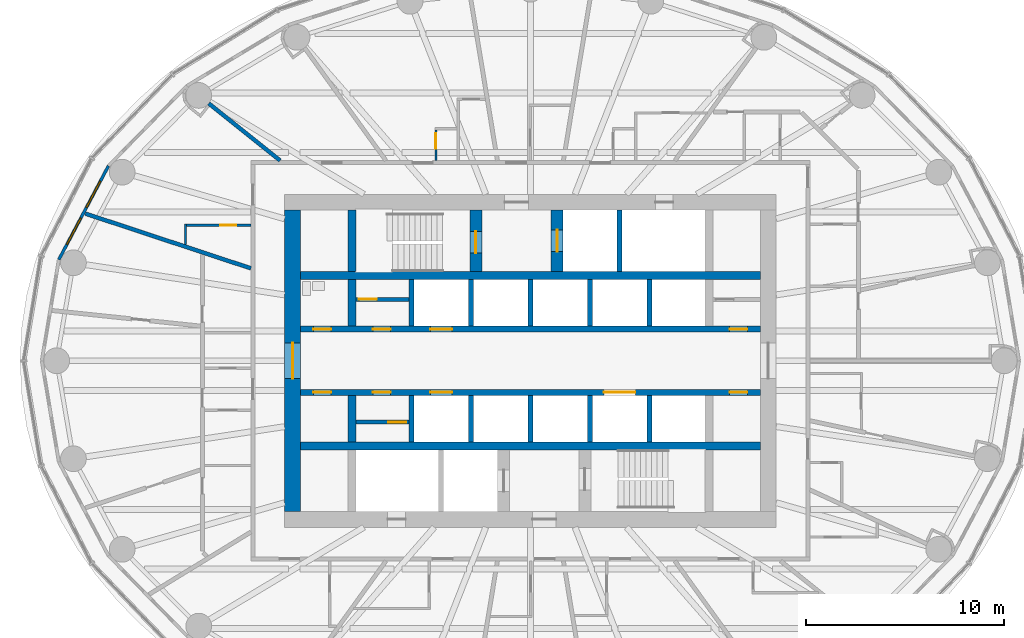
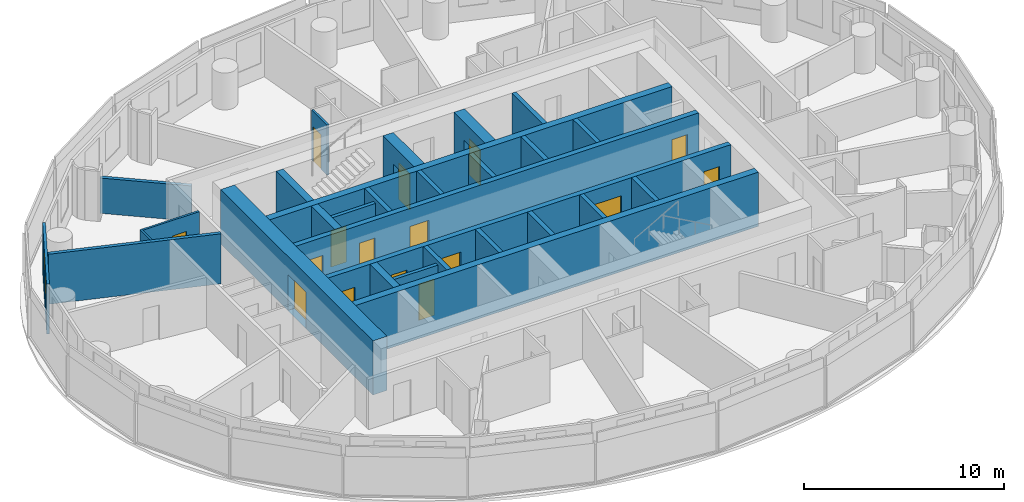
# One storey, part 8 of 14: 29 walls, 16 doors, 2 windows, 18 openings.
"""IFC4 building model written with IfcOpenShell, lengths in metres."""

import ifcopenshell
import ifcopenshell.guid

model = None  # the IFC model being written
_history = None  # IfcOwnerHistory: only IFC2X3 demands one
_inside = {}  # id of a spatial element -> (the spatial element, [elements in it])
_under = {}  # id of a project, library or spatial element -> (it, [spatial elements below it])
_declared = {}  # id of a project -> (the project, [libraries it declares])
_typed = {}  # id of a type object -> (the type object, [elements of that type])
_made_of = {}  # id of a material, layer set ... -> (it, [elements and type objects made of it])


def new_model(schema):
    """Start an empty IFC model of exactly this schema.

    Asked for "IFC4X3", IfcOpenShell would pick the latest addendum, in which some entities
    have other attributes; the version numbers below select the first issue.
    IFC2X3 requires an IfcOwnerHistory on every rooted entity: one is made here for all.
    """
    global model, _history
    if schema == "IFC4X3":
        model = ifcopenshell.file(schema_version=(4, 3, 0, 0))
    else:
        model = ifcopenshell.file(schema=schema)
    _inside.clear()
    _under.clear()
    _declared.clear()
    _typed.clear()
    _made_of.clear()
    _history = None
    if model.schema == "IFC2X3":
        org = make("IfcOrganization", Name="unknown")
        user = make(
            "IfcPersonAndOrganization",
            ThePerson=make("IfcPerson", FamilyName="unknown"),
            TheOrganization=org,
        )
        app = make(
            "IfcApplication",
            ApplicationDeveloper=org,
            Version="unknown",
            ApplicationFullName="unknown",
            ApplicationIdentifier="unknown",
        )
        _history = make(
            "IfcOwnerHistory",
            OwningUser=user,
            OwningApplication=app,
            ChangeAction="ADDED",
            CreationDate=0,
        )
    return model


def make(cls, **values):
    """One entity of the class cls with the attributes given. An attribute that is None is left unset."""
    return model.create_entity(
        cls, **{name: value for name, value in values.items() if value is not None}
    )


def rooted(cls, **values):
    """An entity with a GlobalId (a new one), such as an element, a storey or a relation."""
    return make(cls, GlobalId=ifcopenshell.guid.new(), OwnerHistory=_history, **values)


def si_unit(unit_type, name, prefix=None):
    """IfcSIUnit, for example si_unit("LENGTHUNIT", "METRE", prefix="MILLI")."""
    return make("IfcSIUnit", UnitType=unit_type, Prefix=prefix, Name=name)


def assignment(units):
    """IfcUnitAssignment: the units of a project."""
    return None if units is None else make("IfcUnitAssignment", Units=units)


def point(xyz):
    """IfcCartesianPoint."""
    return None if xyz is None else make("IfcCartesianPoint", Coordinates=xyz)


def direction(xyz):
    """IfcDirection."""
    return None if xyz is None else make("IfcDirection", DirectionRatios=xyz)


def frame(location, z_axis=None, x_axis=None):
    """IfcAxis2Placement3D, a coordinate frame: its origin and axes. An axis left out is left unset."""
    return make(
        "IfcAxis2Placement3D",
        Location=point(location),
        Axis=direction(z_axis),
        RefDirection=direction(x_axis),
    )


def frame_2d(location, x_axis=None):
    """IfcAxis2Placement2D, a coordinate frame in the plane: its origin and x axis."""
    return make(
        "IfcAxis2Placement2D", Location=point(location), RefDirection=direction(x_axis)
    )


def origin():
    """The frame at (0, 0, 0) with its axes left unset."""
    return frame((0.0, 0.0, 0.0))


def place(relative_to, where):
    """IfcLocalPlacement: puts the frame where relative to a parent placement (None: the world)."""
    return make(
        "IfcLocalPlacement", PlacementRelTo=relative_to, RelativePlacement=where
    )


def context(
    kind, dimensions, precision=None, world=None, true_north=None, identifier=None
):
    """IfcGeometricRepresentationContext, for example the 3D "Model" context."""
    return make(
        "IfcGeometricRepresentationContext",
        ContextIdentifier=identifier,
        ContextType=kind,
        CoordinateSpaceDimension=dimensions,
        Precision=precision,
        WorldCoordinateSystem=world,
        TrueNorth=true_north,
    )


def subcontext(parent, identifier, kind, view, scale=None):
    """IfcGeometricRepresentationSubContext, for example "Body" below "Model"."""
    return make(
        "IfcGeometricRepresentationSubContext",
        ContextIdentifier=identifier,
        ContextType=kind,
        ParentContext=parent,
        TargetScale=scale,
        TargetView=view,
    )


def project(units=None, contexts=None):
    """IfcProject with its units and contexts."""
    return rooted(
        "IfcProject",
        Name="project",
        RepresentationContexts=contexts,
        UnitsInContext=assignment(units),
    )


def spatial(cls, under=None, at=None, **own):
    """A site, building, storey or space (cls), placed at a placement, below another one or the project."""
    s = rooted(cls, ObjectPlacement=at, **own)
    if under is not None:
        _under.setdefault(under.id(), (under, []))[1].append(s)
    return s


def profile(cls, at=None, kind="AREA", **sizes):
    """A parametric profile (cls). Its sizes go by their IFC names, for example OverallWidth=200.0."""
    return make(cls, ProfileType=kind, Position=at, **sizes)


def rectangle(**sizes):
    """IfcRectangleProfileDef."""
    return profile("IfcRectangleProfileDef", **sizes)


def extrude(swept, where, along, depth):
    """IfcExtrudedAreaSolid: the profile swept, set in the frame where, extruded along a direction by depth."""
    return make(
        "IfcExtrudedAreaSolid",
        SweptArea=swept,
        Position=where,
        ExtrudedDirection=direction(along),
        Depth=depth,
    )


def shape(context_of_items, identifier, shape_type, items):
    """IfcShapeRepresentation: the items that make up one representation, for example the "Body"."""
    return make(
        "IfcShapeRepresentation",
        ContextOfItems=context_of_items,
        RepresentationIdentifier=identifier,
        RepresentationType=shape_type,
        Items=items,
    )


def material(Name=None, Category=None):
    """IfcMaterial."""
    return make("IfcMaterial", Name=Name, Category=Category)


def layer(
    of_material, thickness, ventilated=None, Name=None, Category=None, Priority=None
):
    """IfcMaterialLayer: one layer of a wall or slab, of a material (None: an air gap)."""
    return make(
        "IfcMaterialLayer",
        Material=of_material,
        LayerThickness=thickness,
        IsVentilated=ventilated,
        Name=Name,
        Category=Category,
        Priority=Priority,
    )


def layer_set(layers, Name=None):
    """IfcMaterialLayerSet."""
    return make("IfcMaterialLayerSet", MaterialLayers=layers, LayerSetName=Name)


def made_of(thing, what):
    """Note that an element or type object is made of a material, layer set ...; save() writes the relation."""
    if what is not None:
        _made_of.setdefault(what.id(), (what, []))[1].append(thing)
    return thing


def type_object(cls, material=None, **own):
    """A type object (cls), such as IfcWallType, which elements share."""
    return made_of(rooted(cls, **own), material)


def element(
    cls,
    number,
    at=None,
    inside=None,
    cuts=None,
    type_object=None,
    material=None,
    context=None,
    identifier="Body",
    shape_type=None,
    held_by="IfcProductDefinitionShape",
    body=None,
    shapes=None,
    **own,
):
    """One element of the class cls, such as IfcWall. Its Tag is "e" and its number.

    at: its placement. inside: the storey or other place that contains it. cuts: it is an
    opening in that element (IfcRelVoidsElement). A single representation is given by context,
    identifier, shape_type and body (its items); several are given by shapes. held_by: the class
    of the entity that holds the representations. save() writes the other relations.
    """
    e = rooted(cls, Tag="e%d" % number, ObjectPlacement=at, **own)
    if body is not None:
        shapes = [shape(context, identifier, shape_type, body)]
    if shapes is not None:
        e.Representation = make(held_by, Representations=shapes)
    if inside is not None:
        _inside.setdefault(inside.id(), (inside, []))[1].append(e)
    if cuts is not None:
        rooted(
            "IfcRelVoidsElement", RelatingBuildingElement=cuts, RelatedOpeningElement=e
        )
    if type_object is not None:
        _typed.setdefault(type_object.id(), (type_object, []))[1].append(e)
    return made_of(e, material)


def fill(opening, filler):
    """IfcRelFillsElement: the door or window that sits in an opening."""
    return rooted(
        "IfcRelFillsElement",
        RelatingOpeningElement=opening,
        RelatedBuildingElement=filler,
    )


def aggregate(whole, parts):
    """IfcRelAggregates: a whole, such as a stair, and the parts it consists of."""
    return rooted("IfcRelAggregates", RelatingObject=whole, RelatedObjects=parts)


def save(model, path):
    """Write the relations noted so far, then the file.

    IfcRelAggregates (storeys below a building ...), IfcRelContainedInSpatialStructure (elements
    in a storey), IfcRelDefinesByType, IfcRelAssociatesMaterial and IfcRelDeclares: one each for
    every whole, place, type object, material and project.
    """
    for whole, parts in _under.values():
        aggregate(whole, parts)
    for where, things in _inside.values():
        rooted(
            "IfcRelContainedInSpatialStructure",
            RelatedElements=things,
            RelatingStructure=where,
        )
    for kind, things in _typed.values():
        rooted("IfcRelDefinesByType", RelatedObjects=things, RelatingType=kind)
    for what, things in _made_of.values():
        rooted("IfcRelAssociatesMaterial", RelatedObjects=things, RelatingMaterial=what)
    for by, libraries in _declared.values():
        rooted("IfcRelDeclares", RelatingContext=by, RelatedDefinitions=libraries)
    model.write(path)


model = new_model("IFC4")

# Units and contexts
model_context = context("Model", 3, precision=1e-05, world=origin(), true_north=direction((0.0, 1.0)))
body_context = subcontext(model_context, "Body", "Model", "MODEL_VIEW")
ifc_project = project(units=[si_unit("LENGTHUNIT", "METRE"), si_unit("AREAUNIT", "SQUARE_METRE"), si_unit("VOLUMEUNIT", "CUBIC_METRE"), si_unit("PLANEANGLEUNIT", "RADIAN"), si_unit("MASSUNIT", "GRAM", prefix="KILO")], contexts=[model_context])

# Site, building, storey
site_placement = place(None, origin())
site = spatial("IfcSite", under=ifc_project, at=site_placement, CompositionType="ELEMENT")
building_placement = place(site_placement, origin())
building = spatial("IfcBuilding", under=site, at=building_placement, Name="Hankou Lantern Tower", CompositionType="ELEMENT")
storey_placement = place(building_placement, frame((0.0, 0.0, 135.300048828125)))
storey = spatial("IfcBuildingStorey", under=building, at=storey_placement, Name="L35", CompositionType="ELEMENT", Elevation=135.300048828125)

# Wall, opening, door
ifc_material_1 = material(Name="Concrete C60", Category="concrete")
ifc_layer_1 = layer(ifc_material_1, 0.800048828125)
ifc_layer_set_1 = layer_set([ifc_layer_1], Name="Concrete C60")
wall_type_1 = type_object("IfcWallType", Name="CW2 CORE WALL 800", PredefinedType="SHEAR", material=ifc_layer_set_1)
wall_1_placement = place(storey_placement, frame((-12.0, 7.60009765625, 0.0), z_axis=(0.0, 0.0, 1.0), x_axis=(0.0, -1.0, 0.0)))
wall_1 = element("IfcWall", 1, at=wall_1_placement, inside=storey, type_object=wall_type_1, Name="Core wall west L35", PredefinedType="SHEAR", context=body_context, shape_type="SweptSolid", body=[
    extrude(rectangle(XDim=15.2001953125, YDim=0.800048828125, at=frame_2d((7.60009765625, 0.0))), origin(), (0.0, 0.0, 1.0), 3.300048828125),
])
opening_1_placement = place(wall_1_placement, frame((6.699951171875, 0.0, 0.0)))
opening_1 = element("IfcOpeningElement", 2, at=opening_1_placement, cuts=wall_1, Name="Opening D6", PredefinedType="OPENING", context=body_context, shape_type="SweptSolid", body=[
    extrude(rectangle(XDim=1.800048828125, YDim=2.199951171875, at=frame_2d((0.89990234375, 1.10009765625))), frame((0.0, 0.409912109375, 0.0), z_axis=(0.0, -1.0, 0.0), x_axis=(1.0, 0.0, 0.0)), (0.0, 0.0, 1.0), 0.820068359375),
])
ifc_material_2 = material(Name="Steel door leaf", Category="steel")
door_type_1 = type_object("IfcDoorType", Name="D6 LIFT LOBBY DOOR 1800X2200", OperationType="DOUBLE_DOOR_DOUBLE_SWING", PredefinedType="DOOR", material=ifc_material_2)
door_1_placement = place(opening_1_placement, origin())
door_1 = element("IfcDoor", 3, at=door_1_placement, inside=storey, type_object=door_type_1, Name="Lift lobby west door", OperationType="DOUBLE_DOOR_DOUBLE_SWING", OverallHeight=2.199951171875, OverallWidth=1.800048828125, PredefinedType="DOOR", context=body_context, shape_type="SweptSolid", body=[
    extrude(rectangle(XDim=1.800048828125, YDim=2.199951171875, at=frame_2d((0.89990234375, 1.10009765625))), frame((0.0, 0.02490234375, 0.0), z_axis=(0.0, -1.0, 0.0), x_axis=(1.0, 0.0, 0.0)), (0.0, 0.0, 1.0), 0.050048828125),
])
fill(opening_1, door_1)

# Walls
ifc_material_3 = material(Name="Concrete C60", Category="concrete")
ifc_layer_2 = layer(ifc_material_3, 0.39990234375)
ifc_layer_set_2 = layer_set([ifc_layer_2], Name="Concrete C60")
wall_type_2 = type_object("IfcWallType", Name="CW4 CORE CROSS WALL 400", PredefinedType="SHEAR", material=ifc_layer_set_2)
for number, where, z_axis, x_axis, name in (
    (4, (-11.60009765625, 4.300048828125, 0.0), (0.0, 0.0, 1.0), (1.0, 0.0, 0.0), "Core band wall north L35"),
    (5, (-11.60009765625, -4.300048828125, 0.0), (0.0, 0.0, 1.0), (1.0, 0.0, 0.0), "Core band wall south L35"),
):
    element("IfcWall", number, at=place(storey_placement, frame(where, z_axis=z_axis, x_axis=x_axis)), inside=storey, type_object=wall_type_2, Name=name, PredefinedType="SHEAR", context=body_context, shape_type="SweptSolid", body=[
        extrude(rectangle(XDim=23.2001953125, YDim=0.39990234375, at=frame_2d((11.60009765625, 0.0))), origin(), (0.0, 0.0, 1.0), 3.300048828125),
    ])
wall_2_placement = place(storey_placement, frame((-9.0, 4.5, 0.0), z_axis=(0.0, 0.0, 1.0), x_axis=(0.0, 1.0, 0.0)))
element("IfcWall", 6, at=wall_2_placement, inside=storey, type_object=wall_type_2, Name="Core strip wall L35", PredefinedType="SHEAR", context=body_context, shape_type="SweptSolid", body=[
    extrude(rectangle(XDim=3.10009765625, YDim=0.39990234375, at=frame_2d((1.550048828125, 0.0))), origin(), (0.0, 0.0, 1.0), 3.300048828125),
])
for number, where, z_axis, x_axis, name in (
    (7, (-9.0, 1.75, 0.0), (0.0, 0.0, 1.0), (0.0, 1.0, 0.0), "Core strip wall L35"),
    (8, (-9.0, -4.10009765625, 0.0), (0.0, 0.0, 1.0), (0.0, 1.0, 0.0), "Core strip wall L35"),
):
    element("IfcWall", number, at=place(storey_placement, frame(where, z_axis=z_axis, x_axis=x_axis)), inside=storey, type_object=wall_type_2, Name=name, PredefinedType="SHEAR", context=body_context, shape_type="SweptSolid", body=[
        extrude(rectangle(XDim=2.35009765625, YDim=0.39990234375, at=frame_2d((1.175048828125, 0.0))), origin(), (0.0, 0.0, 1.0), 3.300048828125),
    ])

# Wall, openings, doors
ifc_material_4 = material(Name="Concrete C60", Category="concrete")
ifc_layer_3 = layer(ifc_material_4, 0.300048828125)
ifc_layer_set_3 = layer_set([ifc_layer_3], Name="Concrete C60")
wall_type_3 = type_object("IfcWallType", Name="CW5 LIFT LOBBY WALL 300", PredefinedType="SHEAR", material=ifc_layer_set_3)
wall_3_placement = place(storey_placement, frame((-11.60009765625, 1.60009765625, 0.0), z_axis=(0.0, 0.0, 1.0), x_axis=(1.0, 0.0, 0.0)))
wall_3 = element("IfcWall", 9, at=wall_3_placement, inside=storey, type_object=wall_type_3, Name="Lift lobby wall north L35", PredefinedType="SHEAR", context=body_context, shape_type="SweptSolid", body=[
    extrude(rectangle(XDim=23.2001953125, YDim=0.300048828125, at=frame_2d((11.60009765625, 0.0))), origin(), (0.0, 0.0, 1.0), 3.300048828125),
])
opening_2_placement = place(wall_3_placement, frame((6.550048828125, 0.0, 0.0)))
opening_2 = element("IfcOpeningElement", 10, at=opening_2_placement, cuts=wall_3, Name="Opening LD1", PredefinedType="OPENING", context=body_context, shape_type="SweptSolid", body=[
    extrude(rectangle(XDim=1.10009765625, YDim=2.199951171875, at=frame_2d((0.550048828125, 1.10009765625))), frame((0.0, 0.159912109375, 0.0), z_axis=(0.0, -1.0, 0.0), x_axis=(1.0, 0.0, 0.0)), (0.0, 0.0, 1.0), 0.320068359375),
])
opening_3_placement = place(wall_3_placement, frame((0.64990234375, 0.0, 0.0)))
opening_3 = element("IfcOpeningElement", 11, at=opening_3_placement, cuts=wall_3, Name="Opening D30", PredefinedType="OPENING", context=body_context, shape_type="SweptSolid", body=[
    extrude(rectangle(XDim=0.89990234375, YDim=2.199951171875, at=frame_2d((0.449951171875, 1.10009765625))), frame((0.0, 0.159912109375, 0.0), z_axis=(0.0, -1.0, 0.0), x_axis=(1.0, 0.0, 0.0)), (0.0, 0.0, 1.0), 0.320068359375),
])
opening_4_placement = place(wall_3_placement, frame((21.64990234375, 0.0, 0.0)))
opening_4 = element("IfcOpeningElement", 12, at=opening_4_placement, cuts=wall_3, Name="Opening D30", PredefinedType="OPENING", context=body_context, shape_type="SweptSolid", body=[
    extrude(rectangle(XDim=0.89990234375, YDim=2.199951171875, at=frame_2d((0.449951171875, 1.10009765625))), frame((0.0, 0.159912109375, 0.0), z_axis=(0.0, -1.0, 0.0), x_axis=(1.0, 0.0, 0.0)), (0.0, 0.0, 1.0), 0.320068359375),
])
opening_5_placement = place(wall_3_placement, frame((3.64990234375, 0.0, 0.0)))
opening_5 = element("IfcOpeningElement", 13, at=opening_5_placement, cuts=wall_3, Name="Opening D30", PredefinedType="OPENING", context=body_context, shape_type="SweptSolid", body=[
    extrude(rectangle(XDim=0.89990234375, YDim=2.199951171875, at=frame_2d((0.449951171875, 1.10009765625))), frame((0.0, 0.159912109375, 0.0), z_axis=(0.0, -1.0, 0.0), x_axis=(1.0, 0.0, 0.0)), (0.0, 0.0, 1.0), 0.320068359375),
])
ifc_material_5 = material(Name="Steel door leaf", Category="steel")
door_type_2 = type_object("IfcDoorType", Name="D30 CORE ROOM DOOR 900X2200", OperationType="SINGLE_SWING_LEFT", PredefinedType="DOOR", material=ifc_material_5)
door_2_placement = place(opening_3_placement, origin())
door_2 = element("IfcDoor", 14, at=door_2_placement, inside=storey, type_object=door_type_2, Name="Accessible staff WC door", OperationType="SINGLE_SWING_LEFT", OverallHeight=2.199951171875, OverallWidth=0.89990234375, PredefinedType="DOOR", context=body_context, shape_type="SweptSolid", body=[
    extrude(rectangle(XDim=0.89990234375, YDim=2.199951171875, at=frame_2d((0.449951171875, 1.10009765625))), frame((0.0, 0.02490234375, 0.0), z_axis=(0.0, -1.0, 0.0), x_axis=(1.0, 0.0, 0.0)), (0.0, 0.0, 1.0), 0.050048828125),
])
fill(opening_3, door_2)
door_3_placement = place(opening_4_placement, origin())
door_3 = element("IfcDoor", 15, at=door_3_placement, inside=storey, type_object=door_type_2, Name="Staff locker room door", OperationType="SINGLE_SWING_RIGHT", OverallHeight=2.199951171875, OverallWidth=0.89990234375, PredefinedType="DOOR", context=body_context, shape_type="SweptSolid", body=[
    extrude(rectangle(XDim=0.89990234375, YDim=2.199951171875, at=frame_2d((0.449951171875, 1.10009765625))), frame((0.0, 0.02490234375, 0.0), z_axis=(0.0, -1.0, 0.0), x_axis=(1.0, 0.0, 0.0)), (0.0, 0.0, 1.0), 0.050048828125),
])
fill(opening_4, door_3)
door_4_placement = place(opening_5_placement, origin())
door_4 = element("IfcDoor", 16, at=door_4_placement, inside=storey, type_object=door_type_2, Name="Guest pantry and ice room door", OperationType="SINGLE_SWING_LEFT", OverallHeight=2.199951171875, OverallWidth=0.89990234375, PredefinedType="DOOR", context=body_context, shape_type="SweptSolid", body=[
    extrude(rectangle(XDim=0.89990234375, YDim=2.199951171875, at=frame_2d((0.449951171875, 1.10009765625))), frame((0.0, 0.02490234375, 0.0), z_axis=(0.0, -1.0, 0.0), x_axis=(1.0, 0.0, 0.0)), (0.0, 0.0, 1.0), 0.050048828125),
])
fill(opening_5, door_4)
ifc_material_6 = material(Name="Steel door leaf", Category="steel")
door_type_3 = type_object("IfcDoorType", Name="LD1 LIFT LANDING DOOR 1100X2200", OperationType="DOUBLE_DOOR_SLIDING", PredefinedType="DOOR", material=ifc_material_6)
door_5_placement = place(opening_2_placement, origin())
door_5 = element("IfcDoor", 17, at=door_5_placement, inside=storey, type_object=door_type_3, Name="Lift M1 landing door", OperationType="DOUBLE_DOOR_SLIDING", OverallHeight=2.199951171875, OverallWidth=1.10009765625, PredefinedType="DOOR", context=body_context, shape_type="SweptSolid", body=[
    extrude(rectangle(XDim=1.10009765625, YDim=2.199951171875, at=frame_2d((0.550048828125, 1.10009765625))), frame((0.0, 0.02490234375, 0.0), z_axis=(0.0, -1.0, 0.0), x_axis=(1.0, 0.0, 0.0)), (0.0, 0.0, 1.0), 0.050048828125),
])
fill(opening_2, door_5)

wall_4_placement = place(storey_placement, frame((-11.60009765625, -1.60009765625, 0.0), z_axis=(0.0, 0.0, 1.0), x_axis=(1.0, 0.0, 0.0)))
wall_4 = element("IfcWall", 18, at=wall_4_placement, inside=storey, type_object=wall_type_3, Name="Lift lobby wall south L35", PredefinedType="SHEAR", context=body_context, shape_type="SweptSolid", body=[
    extrude(rectangle(XDim=23.2001953125, YDim=0.300048828125, at=frame_2d((11.60009765625, 0.0))), origin(), (0.0, 0.0, 1.0), 3.300048828125),
])
opening_6_placement = place(wall_4_placement, frame((6.550048828125, 0.0, 0.0)))
opening_6 = element("IfcOpeningElement", 19, at=opening_6_placement, cuts=wall_4, Name="Opening LD1", PredefinedType="OPENING", context=body_context, shape_type="SweptSolid", body=[
    extrude(rectangle(XDim=1.10009765625, YDim=2.199951171875, at=frame_2d((0.550048828125, 1.10009765625))), frame((0.0, 0.159912109375, 0.0), z_axis=(0.0, -1.0, 0.0), x_axis=(1.0, 0.0, 0.0)), (0.0, 0.0, 1.0), 0.320068359375),
])
opening_7_placement = place(wall_4_placement, frame((15.300048828125, 0.0, 0.0)))
opening_7 = element("IfcOpeningElement", 20, at=opening_7_placement, cuts=wall_4, Name="Opening LD4", PredefinedType="OPENING", context=body_context, shape_type="SweptSolid", body=[
    extrude(rectangle(XDim=1.60009765625, YDim=2.39990234375, at=frame_2d((0.800048828125, 1.199951171875))), frame((0.0, 0.159912109375, 0.0), z_axis=(0.0, -1.0, 0.0), x_axis=(1.0, 0.0, 0.0)), (0.0, 0.0, 1.0), 0.320068359375),
])
opening_8_placement = place(wall_4_placement, frame((0.64990234375, 0.0, 0.0)))
opening_8 = element("IfcOpeningElement", 21, at=opening_8_placement, cuts=wall_4, Name="Opening D30", PredefinedType="OPENING", context=body_context, shape_type="SweptSolid", body=[
    extrude(rectangle(XDim=0.89990234375, YDim=2.199951171875, at=frame_2d((0.449951171875, 1.10009765625))), frame((0.0, 0.159912109375, 0.0), z_axis=(0.0, -1.0, 0.0), x_axis=(1.0, 0.0, 0.0)), (0.0, 0.0, 1.0), 0.320068359375),
])
opening_9_placement = place(wall_4_placement, frame((3.64990234375, 0.0, 0.0)))
opening_9 = element("IfcOpeningElement", 22, at=opening_9_placement, cuts=wall_4, Name="Opening D30", PredefinedType="OPENING", context=body_context, shape_type="SweptSolid", body=[
    extrude(rectangle(XDim=0.89990234375, YDim=2.199951171875, at=frame_2d((0.449951171875, 1.10009765625))), frame((0.0, 0.159912109375, 0.0), z_axis=(0.0, -1.0, 0.0), x_axis=(1.0, 0.0, 0.0)), (0.0, 0.0, 1.0), 0.320068359375),
])
opening_10_placement = place(wall_4_placement, frame((21.64990234375, 0.0, 0.0)))
opening_10 = element("IfcOpeningElement", 23, at=opening_10_placement, cuts=wall_4, Name="Opening D30", PredefinedType="OPENING", context=body_context, shape_type="SweptSolid", body=[
    extrude(rectangle(XDim=0.89990234375, YDim=2.199951171875, at=frame_2d((0.449951171875, 1.10009765625))), frame((0.0, 0.159912109375, 0.0), z_axis=(0.0, -1.0, 0.0), x_axis=(1.0, 0.0, 0.0)), (0.0, 0.0, 1.0), 0.320068359375),
])
door_6_placement = place(opening_8_placement, origin())
door_6 = element("IfcDoor", 24, at=door_6_placement, inside=storey, type_object=door_type_2, Name="IT and telecoms room door", OperationType="SINGLE_SWING_LEFT", OverallHeight=2.199951171875, OverallWidth=0.89990234375, PredefinedType="DOOR", context=body_context, shape_type="SweptSolid", body=[
    extrude(rectangle(XDim=0.89990234375, YDim=2.199951171875, at=frame_2d((0.449951171875, 1.10009765625))), frame((0.0, 0.02490234375, 0.0), z_axis=(0.0, -1.0, 0.0), x_axis=(1.0, 0.0, 0.0)), (0.0, 0.0, 1.0), 0.050048828125),
])
fill(opening_8, door_6)
door_7_placement = place(opening_9_placement, origin())
door_7 = element("IfcDoor", 25, at=door_7_placement, inside=storey, type_object=door_type_2, Name="Engineering store door", OperationType="SINGLE_SWING_LEFT", OverallHeight=2.199951171875, OverallWidth=0.89990234375, PredefinedType="DOOR", context=body_context, shape_type="SweptSolid", body=[
    extrude(rectangle(XDim=0.89990234375, YDim=2.199951171875, at=frame_2d((0.449951171875, 1.10009765625))), frame((0.0, 0.02490234375, 0.0), z_axis=(0.0, -1.0, 0.0), x_axis=(1.0, 0.0, 0.0)), (0.0, 0.0, 1.0), 0.050048828125),
])
fill(opening_9, door_7)
door_8_placement = place(opening_10_placement, origin())
door_8 = element("IfcDoor", 26, at=door_8_placement, inside=storey, type_object=door_type_2, Name="Housekeeping and linen store door", OperationType="SINGLE_SWING_RIGHT", OverallHeight=2.199951171875, OverallWidth=0.89990234375, PredefinedType="DOOR", context=body_context, shape_type="SweptSolid", body=[
    extrude(rectangle(XDim=0.89990234375, YDim=2.199951171875, at=frame_2d((0.449951171875, 1.10009765625))), frame((0.0, 0.02490234375, 0.0), z_axis=(0.0, -1.0, 0.0), x_axis=(1.0, 0.0, 0.0)), (0.0, 0.0, 1.0), 0.050048828125),
])
fill(opening_10, door_8)
door_9_placement = place(opening_6_placement, origin())
door_9 = element("IfcDoor", 27, at=door_9_placement, inside=storey, type_object=door_type_3, Name="Lift M2 landing door", OperationType="DOUBLE_DOOR_SLIDING", OverallHeight=2.199951171875, OverallWidth=1.10009765625, PredefinedType="DOOR", context=body_context, shape_type="SweptSolid", body=[
    extrude(rectangle(XDim=1.10009765625, YDim=2.199951171875, at=frame_2d((0.550048828125, 1.10009765625))), frame((0.0, 0.02490234375, 0.0), z_axis=(0.0, -1.0, 0.0), x_axis=(1.0, 0.0, 0.0)), (0.0, 0.0, 1.0), 0.050048828125),
])
fill(opening_6, door_9)
ifc_material_7 = material(Name="Steel door leaf", Category="steel")
door_type_4 = type_object("IfcDoorType", Name="LD4 SERVICE LIFT LANDING DOOR 1600X2400", OperationType="DOUBLE_DOOR_SLIDING", PredefinedType="DOOR", material=ifc_material_7)
door_10_placement = place(opening_7_placement, origin())
door_10 = element("IfcDoor", 28, at=door_10_placement, inside=storey, type_object=door_type_4, Name="Lift SV1 landing door", OperationType="DOUBLE_DOOR_SLIDING", OverallHeight=2.39990234375, OverallWidth=1.60009765625, PredefinedType="DOOR", context=body_context, shape_type="SweptSolid", body=[
    extrude(rectangle(XDim=1.60009765625, YDim=2.39990234375, at=frame_2d((0.800048828125, 1.199951171875))), frame((0.0, 0.02490234375, 0.0), z_axis=(0.0, -1.0, 0.0), x_axis=(1.0, 0.0, 0.0)), (0.0, 0.0, 1.0), 0.050048828125),
])
fill(opening_7, door_10)

# Wall, opening, door
ifc_material_8 = material(Name="Concrete C60", Category="concrete")
ifc_layer_4 = layer(ifc_material_8, 0.60009765625)
ifc_layer_set_4 = layer_set([ifc_layer_4], Name="Concrete C60")
wall_type_4 = type_object("IfcWallType", Name="CW6 STAIR AND SHAFT WALL 600", PredefinedType="SHEAR", material=ifc_layer_set_4)
wall_5_placement = place(storey_placement, frame((-2.75, 4.5, 0.0), z_axis=(0.0, 0.0, 1.0), x_axis=(0.0, 1.0, 0.0)))
wall_5 = element("IfcWall", 29, at=wall_5_placement, inside=storey, type_object=wall_type_4, Name="Stair wall L35", PredefinedType="SHEAR", context=body_context, shape_type="SweptSolid", body=[
    extrude(rectangle(XDim=3.10009765625, YDim=0.60009765625, at=frame_2d((1.550048828125, 0.0))), origin(), (0.0, 0.0, 1.0), 3.300048828125),
])
opening_11_placement = place(wall_5_placement, frame((0.925048828125, 0.0, 0.0)))
opening_11 = element("IfcOpeningElement", 30, at=opening_11_placement, cuts=wall_5, Name="Opening D4", PredefinedType="OPENING", context=body_context, shape_type="SweptSolid", body=[
    extrude(rectangle(XDim=1.10009765625, YDim=2.199951171875, at=frame_2d((0.550048828125, 1.10009765625))), frame((0.0, 0.31005859375, 0.0), z_axis=(0.0, -1.0, 0.0), x_axis=(1.0, 0.0, 0.0)), (0.0, 0.0, 1.0), 0.6201171875),
])
ifc_material_9 = material(Name="Steel door leaf", Category="steel")
door_type_5 = type_object("IfcDoorType", Name="D4 STAIR DOOR 1100X2200", OperationType="SINGLE_SWING_LEFT", PredefinedType="DOOR", material=ifc_material_9)
door_11_placement = place(opening_11_placement, origin())
door_11 = element("IfcDoor", 31, at=door_11_placement, inside=storey, type_object=door_type_5, Name="Stair A door", OperationType="SINGLE_SWING_LEFT", OverallHeight=2.199951171875, OverallWidth=1.10009765625, PredefinedType="DOOR", context=body_context, shape_type="SweptSolid", body=[
    extrude(rectangle(XDim=1.10009765625, YDim=2.199951171875, at=frame_2d((0.550048828125, 1.10009765625))), frame((0.0, 0.02490234375, 0.0), z_axis=(0.0, -1.0, 0.0), x_axis=(1.0, 0.0, 0.0)), (0.0, 0.0, 1.0), 0.050048828125),
])
fill(opening_11, door_11)

wall_6_placement = place(storey_placement, frame((1.35009765625, 4.5, 0.0), z_axis=(0.0, 0.0, 1.0), x_axis=(0.0, 1.0, 0.0)))
wall_6 = element("IfcWall", 32, at=wall_6_placement, inside=storey, type_object=wall_type_4, Name="Firefighting lift shaft wall L35", PredefinedType="SHEAR", context=body_context, shape_type="SweptSolid", body=[
    extrude(rectangle(XDim=3.10009765625, YDim=0.60009765625, at=frame_2d((1.550048828125, 0.0))), origin(), (0.0, 0.0, 1.0), 3.300048828125),
])
opening_12_placement = place(wall_6_placement, frame((1.0, 0.0, 0.0)))
opening_12 = element("IfcOpeningElement", 33, at=opening_12_placement, cuts=wall_6, Name="Opening LD2", PredefinedType="OPENING", context=body_context, shape_type="SweptSolid", body=[
    extrude(rectangle(XDim=1.10009765625, YDim=2.199951171875, at=frame_2d((0.550048828125, 1.10009765625))), frame((0.0, 0.31005859375, 0.0), z_axis=(0.0, -1.0, 0.0), x_axis=(1.0, 0.0, 0.0)), (0.0, 0.0, 1.0), 0.6201171875),
])
ifc_material_10 = material(Name="Steel door leaf", Category="steel")
door_type_6 = type_object("IfcDoorType", Name="LD2 FIREFIGHTING LIFT LANDING DOOR 1100X2200", OperationType="DOUBLE_DOOR_SLIDING", PredefinedType="DOOR", material=ifc_material_10)
door_12_placement = place(opening_12_placement, origin())
door_12 = element("IfcDoor", 34, at=door_12_placement, inside=storey, type_object=door_type_6, Name="Firefighting lift FL1 landing door", OperationType="DOUBLE_DOOR_SLIDING", OverallHeight=2.199951171875, OverallWidth=1.10009765625, PredefinedType="DOOR", context=body_context, shape_type="SweptSolid", body=[
    extrude(rectangle(XDim=1.10009765625, YDim=2.199951171875, at=frame_2d((0.550048828125, 1.10009765625))), frame((0.0, 0.02490234375, 0.0), z_axis=(0.0, -1.0, 0.0), x_axis=(1.0, 0.0, 0.0)), (0.0, 0.0, 1.0), 0.050048828125),
])
fill(opening_12, door_12)

# Wall, openings, windows
ifc_material_11 = material(Name="Aluminium spandrel panel on steel studs", Category="steel")
ifc_layer_5 = layer(ifc_material_11, 0.14990234375)
ifc_layer_set_5 = layer_set([ifc_layer_5], Name="Aluminium spandrel panel on steel studs")
wall_type_5 = type_object("IfcWallType", Name="EW1 INNER SKIN WALL 150", PredefinedType="ELEMENTEDWALL", material=ifc_layer_set_5)
wall_7_placement = place(storey_placement, frame((-21.287353515625, 9.83203125, 0.0), z_axis=(0.0, 0.0, 1.0), x_axis=(-0.467814388454, -0.883826735257, 0.0)))
wall_7 = element("IfcWall", 35, at=wall_7_placement, inside=storey, type_object=wall_type_5, Name="Inner skin R11-R12 L35", PredefinedType="ELEMENTEDWALL", context=body_context, shape_type="SweptSolid", body=[
    extrude(rectangle(XDim=5.35400390625, YDim=0.14990234375, at=frame_2d((2.677001953125, 0.0))), origin(), (0.0, 0.0, 1.0), 3.050048828125),
])
opening_13_placement = place(wall_7_placement, frame((0.876953125, 0.0, 0.89990234375)))
opening_13 = element("IfcOpeningElement", 36, at=opening_13_placement, cuts=wall_7, Name="Opening W2", PredefinedType="OPENING", context=body_context, shape_type="SweptSolid", body=[
    extrude(rectangle(XDim=1.5, YDim=1.89990234375, at=frame_2d((0.75, 0.949951171875))), frame((0.0, 0.0849609375, 0.0), z_axis=(0.0, -1.0, 0.0), x_axis=(1.0, 0.0, 0.0)), (0.0, 0.0, 1.0), 0.169921875),
])
opening_14_placement = place(wall_7_placement, frame((2.97705078125, 0.0, 0.89990234375)))
opening_14 = element("IfcOpeningElement", 37, at=opening_14_placement, cuts=wall_7, Name="Opening W2", PredefinedType="OPENING", context=body_context, shape_type="SweptSolid", body=[
    extrude(rectangle(XDim=1.5, YDim=1.89990234375, at=frame_2d((0.75, 0.949951171875))), frame((0.0, 0.0849609375, 0.0), z_axis=(0.0, -1.0, 0.0), x_axis=(1.0, 0.0, 0.0)), (0.0, 0.0, 1.0), 0.169921875),
])
ifc_material_12 = material(Name="Aluminium framed double glazed window", Category="aluminium")
window_type = type_object("IfcWindowType", Name="W2 GUEST ROOM WINDOW 1500X1900", PartitioningType="DOUBLE_PANEL_VERTICAL", PredefinedType="WINDOW", material=ifc_material_12)
window_1_placement = place(opening_13_placement, origin())
window_1 = element("IfcWindow", 38, at=window_1_placement, inside=storey, type_object=window_type, Name="Window R11.1 L35", OverallHeight=1.89990234375, OverallWidth=1.5, PartitioningType="SINGLE_PANEL", PredefinedType="WINDOW", context=body_context, shape_type="SweptSolid", body=[
    extrude(rectangle(XDim=1.5, YDim=1.89990234375, at=frame_2d((0.75, 0.949951171875))), frame((0.0, 0.030029296875, 0.0), z_axis=(0.0, -1.0, 0.0), x_axis=(1.0, 0.0, 0.0)), (0.0, 0.0, 1.0), 0.06005859375),
])
fill(opening_13, window_1)
window_2_placement = place(opening_14_placement, origin())
window_2 = element("IfcWindow", 39, at=window_2_placement, inside=storey, type_object=window_type, Name="Window R11.2 L35", OverallHeight=1.89990234375, OverallWidth=1.5, PartitioningType="SINGLE_PANEL", PredefinedType="WINDOW", context=body_context, shape_type="SweptSolid", body=[
    extrude(rectangle(XDim=1.5, YDim=1.89990234375, at=frame_2d((0.75, 0.949951171875))), frame((0.0, 0.030029296875, 0.0), z_axis=(0.0, -1.0, 0.0), x_axis=(1.0, 0.0, 0.0)), (0.0, 0.0, 1.0), 0.06005859375),
])
fill(opening_14, window_2)

# Wall
ifc_material_13 = material(Name="Masonry lightweight concrete block", Category="masonry")
ifc_layer_6 = layer(ifc_material_13, 0.199951171875)
ifc_layer_set_6 = layer_set([ifc_layer_6], Name="Masonry lightweight concrete block")
wall_type_6 = type_object("IfcWallType", Name="IW1 GUEST ROOM PARTY WALL 200", PredefinedType="PARTITIONING", material=ifc_layer_set_6)
wall_8_placement = place(storey_placement, frame((-14.10009765625, 4.662353515625, 0.0), z_axis=(0.0, 0.0, 1.0), x_axis=(-0.949446466373, 0.313928984789, 0.0)))
element("IfcWall", 40, at=wall_8_placement, inside=storey, type_object=wall_type_6, Name="Party wall R11-R12", PredefinedType="PARTITIONING", context=body_context, shape_type="SweptSolid", body=[
    extrude(rectangle(XDim=8.79736328125, YDim=0.199951171875, at=frame_2d((4.398681640625, 0.0))), origin(), (0.0, 0.0, 1.0), 3.050048828125),
])

# Wall, opening, door
ifc_material_14 = material(Name="Masonry lightweight concrete block", Category="masonry")
ifc_layer_7 = layer(ifc_material_14, 0.1201171875)
ifc_layer_set_7 = layer_set([ifc_layer_7], Name="Masonry lightweight concrete block")
wall_type_7 = type_object("IfcWallType", Name="IW3 BATHROOM WALL 120", PredefinedType="PARTITIONING", material=ifc_layer_set_7)
wall_9_placement = place(storey_placement, frame((-4.76513671875, 10.10009765625, 0.0), z_axis=(0.0, 0.0, 1.0), x_axis=(0.0, 1.0, 0.0)))
wall_9 = element("IfcWall", 41, at=wall_9_placement, inside=storey, type_object=wall_type_7, Name="Box wall 3502 2", PredefinedType="PARTITIONING", context=body_context, shape_type="SweptSolid", body=[
    extrude(rectangle(XDim=1.539794921875, YDim=0.1201171875, at=frame_2d((0.77001953125, 0.0))), origin(), (0.0, 0.0, 1.0), 3.050048828125),
])
opening_15_placement = place(wall_9_placement, frame((0.590087890625, 0.0, 0.0)))
opening_15 = element("IfcOpeningElement", 42, at=opening_15_placement, cuts=wall_9, Name="Opening D3", PredefinedType="OPENING", context=body_context, shape_type="SweptSolid", body=[
    extrude(rectangle(XDim=0.800048828125, YDim=2.10009765625, at=frame_2d((0.39990234375, 1.050048828125))), frame((0.0, 0.070068359375, 0.0), z_axis=(0.0, -1.0, 0.0), x_axis=(1.0, 0.0, 0.0)), (0.0, 0.0, 1.0), 0.14013671875),
])
ifc_material_15 = material(Name="Timber door leaf", Category="wood")
door_type_7 = type_object("IfcDoorType", Name="D3 BATHROOM DOOR 800X2100", OperationType="SINGLE_SWING_LEFT", PredefinedType="DOOR", material=ifc_material_15)
door_13_placement = place(opening_15_placement, origin())
door_13 = element("IfcDoor", 43, at=door_13_placement, inside=storey, type_object=door_type_7, Name="En-suite WC 3502 door", OperationType="SINGLE_SWING_LEFT", OverallHeight=2.10009765625, OverallWidth=0.800048828125, PredefinedType="DOOR", context=body_context, shape_type="SweptSolid", body=[
    extrude(rectangle(XDim=0.800048828125, YDim=2.10009765625, at=frame_2d((0.39990234375, 1.050048828125))), frame((0.0, 0.02490234375, 0.0), z_axis=(0.0, -1.0, 0.0), x_axis=(1.0, 0.0, 0.0)), (0.0, 0.0, 1.0), 0.050048828125),
])
fill(opening_15, door_13)

# Wall
wall_10_placement = place(storey_placement, frame((-17.39990234375, 5.853515625, 0.0), z_axis=(0.0, 0.0, 1.0), x_axis=(0.0, 1.0, 0.0)))
element("IfcWall", 44, at=wall_10_placement, inside=storey, type_object=wall_type_7, Name="Box wall 3504 1", PredefinedType="PARTITIONING", context=body_context, shape_type="SweptSolid", body=[
    extrude(rectangle(XDim=1.048828125, YDim=0.1201171875, at=frame_2d((0.5244140625, 0.0))), origin(), (0.0, 0.0, 1.0), 3.050048828125),
])

# Wall, opening, door
wall_11_placement = place(storey_placement, frame((-14.10009765625, 6.84228515625, 0.0), z_axis=(0.0, 0.0, 1.0), x_axis=(-1.0, 0.0, 0.0)))
wall_11 = element("IfcWall", 45, at=wall_11_placement, inside=storey, type_object=wall_type_7, Name="Box wall 3504 1", PredefinedType="PARTITIONING", context=body_context, shape_type="SweptSolid", body=[
    extrude(rectangle(XDim=3.239990234375, YDim=0.1201171875, at=frame_2d((1.6201171875, 0.0))), origin(), (0.0, 0.0, 1.0), 3.050048828125),
])
opening_16_placement = place(wall_11_placement, frame((0.75, 0.0, 0.0)))
opening_16 = element("IfcOpeningElement", 46, at=opening_16_placement, cuts=wall_11, Name="Opening D3", PredefinedType="OPENING", context=body_context, shape_type="SweptSolid", body=[
    extrude(rectangle(XDim=0.800048828125, YDim=2.10009765625, at=frame_2d((0.39990234375, 1.050048828125))), frame((0.0, 0.070068359375, 0.0), z_axis=(0.0, -1.0, 0.0), x_axis=(1.0, 0.0, 0.0)), (0.0, 0.0, 1.0), 0.14013671875),
])
door_14_placement = place(opening_16_placement, origin())
door_14 = element("IfcDoor", 47, at=door_14_placement, inside=storey, type_object=door_type_7, Name="En-suite bathroom 3504 door", OperationType="SINGLE_SWING_LEFT", OverallHeight=2.10009765625, OverallWidth=0.800048828125, PredefinedType="DOOR", context=body_context, shape_type="SweptSolid", body=[
    extrude(rectangle(XDim=0.800048828125, YDim=2.10009765625, at=frame_2d((0.39990234375, 1.050048828125))), frame((0.0, 0.02490234375, 0.0), z_axis=(0.0, -1.0, 0.0), x_axis=(1.0, 0.0, 0.0)), (0.0, 0.0, 1.0), 0.050048828125),
])
fill(opening_16, door_14)

# Wall
ifc_material_16 = material(Name="Masonry lightweight concrete block", Category="masonry")
ifc_layer_8 = layer(ifc_material_16, 0.199951171875)
ifc_layer_set_8 = layer_set([ifc_layer_8], Name="Masonry lightweight concrete block")
wall_type_8 = type_object("IfcWallType", Name="IW8 PARTITION 200", PredefinedType="PARTITIONING", material=ifc_layer_set_8)
wall_12_placement = place(storey_placement, frame((-12.625, 10.10009765625, 0.0), z_axis=(0.0, 0.0, 1.0), x_axis=(-0.780863644897, 0.624701503182, 0.0)))
element("IfcWall", 48, at=wall_12_placement, inside=storey, type_object=wall_type_8, Name="Partition R10", PredefinedType="PARTITIONING", context=body_context, shape_type="SweptSolid", body=[
    extrude(rectangle(XDim=4.612060546875, YDim=0.199951171875, at=frame_2d((2.30615234375, 0.0))), origin(), (0.0, 0.0, 1.0), 2.14990234375),
])

# Wall, opening, door
wall_13_placement = place(storey_placement, frame((-8.800048828125, -3.10009765625, 0.0), z_axis=(0.0, 0.0, 1.0), x_axis=(1.0, 0.0, 0.0)))
wall_13 = element("IfcWall", 49, at=wall_13_placement, inside=storey, type_object=wall_type_8, Name="Partition engineering store", PredefinedType="PARTITIONING", context=body_context, shape_type="SweptSolid", body=[
    extrude(rectangle(XDim=2.675048828125, YDim=0.199951171875, at=frame_2d((1.33740234375, 0.0))), origin(), (0.0, 0.0, 1.0), 3.050048828125),
])
opening_17_placement = place(wall_13_placement, frame((1.625, 0.0, 0.0)))
opening_17 = element("IfcOpeningElement", 50, at=opening_17_placement, cuts=wall_13, Name="Opening D12", PredefinedType="OPENING", context=body_context, shape_type="SweptSolid", body=[
    extrude(rectangle(XDim=0.89990234375, YDim=2.199951171875, at=frame_2d((0.449951171875, 1.10009765625))), frame((0.0, 0.10986328125, 0.0), z_axis=(0.0, -1.0, 0.0), x_axis=(1.0, 0.0, 0.0)), (0.0, 0.0, 1.0), 0.219970703125),
])
ifc_material_17 = material(Name="Steel door leaf", Category="steel")
door_type_8 = type_object("IfcDoorType", Name="D12 STORE DOOR 900X2200", OperationType="SINGLE_SWING_LEFT", PredefinedType="DOOR", material=ifc_material_17)
door_15_placement = place(opening_17_placement, origin())
door_15 = element("IfcDoor", 51, at=door_15_placement, inside=storey, type_object=door_type_8, Name="Electrical cupboard door", OperationType="SINGLE_SWING_RIGHT", OverallHeight=2.199951171875, OverallWidth=0.89990234375, PredefinedType="DOOR", context=body_context, shape_type="SweptSolid", body=[
    extrude(rectangle(XDim=0.89990234375, YDim=2.199951171875, at=frame_2d((0.449951171875, 1.10009765625))), frame((0.0, 0.02490234375, 0.0), z_axis=(0.0, -1.0, 0.0), x_axis=(1.0, 0.0, 0.0)), (0.0, 0.0, 1.0), 0.050048828125),
])
fill(opening_17, door_15)

wall_14_placement = place(storey_placement, frame((-8.800048828125, 3.10009765625, 0.0), z_axis=(0.0, 0.0, 1.0), x_axis=(1.0, 0.0, 0.0)))
wall_14 = element("IfcWall", 52, at=wall_14_placement, inside=storey, type_object=wall_type_8, Name="Partition guest pantry and ice room", PredefinedType="PARTITIONING", context=body_context, shape_type="SweptSolid", body=[
    extrude(rectangle(XDim=2.675048828125, YDim=0.199951171875, at=frame_2d((1.33740234375, 0.0))), origin(), (0.0, 0.0, 1.0), 3.050048828125),
])
opening_18_placement = place(wall_14_placement, frame((0.14990234375, 0.0, 0.0)))
opening_18 = element("IfcOpeningElement", 53, at=opening_18_placement, cuts=wall_14, Name="Opening D12", PredefinedType="OPENING", context=body_context, shape_type="SweptSolid", body=[
    extrude(rectangle(XDim=0.89990234375, YDim=2.199951171875, at=frame_2d((0.449951171875, 1.10009765625))), frame((0.0, 0.10986328125, 0.0), z_axis=(0.0, -1.0, 0.0), x_axis=(1.0, 0.0, 0.0)), (0.0, 0.0, 1.0), 0.219970703125),
])
door_16_placement = place(opening_18_placement, origin())
door_16 = element("IfcDoor", 54, at=door_16_placement, inside=storey, type_object=door_type_8, Name="Ice machine cupboard door", OperationType="SINGLE_SWING_LEFT", OverallHeight=2.199951171875, OverallWidth=0.89990234375, PredefinedType="DOOR", context=body_context, shape_type="SweptSolid", body=[
    extrude(rectangle(XDim=0.89990234375, YDim=2.199951171875, at=frame_2d((0.449951171875, 1.10009765625))), frame((0.0, 0.02490234375, 0.0), z_axis=(0.0, -1.0, 0.0), x_axis=(1.0, 0.0, 0.0)), (0.0, 0.0, 1.0), 0.050048828125),
])
fill(opening_18, door_16)

# Walls
ifc_material_18 = material(Name="Masonry autoclaved aerated concrete block", Category="masonry")
ifc_layer_9 = layer(ifc_material_18, 0.25)
ifc_layer_set_9 = layer_set([ifc_layer_9], Name="Masonry autoclaved aerated concrete block")
wall_type_9 = type_object("IfcWallType", Name="SW1 SHAFT BLOCK WALL 250", PredefinedType="PARTITIONING", material=ifc_layer_set_9)
wall_15_placement = place(storey_placement, frame((4.5, 4.5, 0.0), z_axis=(0.0, 0.0, 1.0), x_axis=(0.0, 1.0, 0.0)))
element("IfcWall", 55, at=wall_15_placement, inside=storey, type_object=wall_type_9, Name="Riser wall L35", PredefinedType="PARTITIONING", context=body_context, shape_type="SweptSolid", body=[
    extrude(rectangle(XDim=3.10009765625, YDim=0.25, at=frame_2d((1.550048828125, 0.0))), origin(), (0.0, 0.0, 1.0), 3.300048828125),
])
for number, where, z_axis, x_axis, name in (
    (56, (-6.0, 1.75, 0.0), (0.0, 0.0, 1.0), (0.0, 1.0, 0.0), "Lift shaft wall L35"),
    (57, (-3.0, 1.75, 0.0), (0.0, 0.0, 1.0), (0.0, 1.0, 0.0), "Lift shaft wall L35"),
    (58, (0.0, 1.75, 0.0), (0.0, 0.0, 1.0), (0.0, 1.0, 0.0), "Lift shaft wall L35"),
    (59, (3.0, 1.75, 0.0), (0.0, 0.0, 1.0), (0.0, 1.0, 0.0), "Lift shaft wall L35"),
    (60, (6.0, 1.75, 0.0), (0.0, 0.0, 1.0), (0.0, 1.0, 0.0), "Lift shaft wall L35"),
    (61, (-6.0, -4.10009765625, 0.0), (0.0, 0.0, 1.0), (0.0, 1.0, 0.0), "Lift shaft wall L35"),
    (62, (-3.0, -4.10009765625, 0.0), (0.0, 0.0, 1.0), (0.0, 1.0, 0.0), "Lift shaft wall L35"),
    (63, (0.0, -4.10009765625, 0.0), (0.0, 0.0, 1.0), (0.0, 1.0, 0.0), "Lift shaft wall L35"),
    (64, (3.0, -4.10009765625, 0.0), (0.0, 0.0, 1.0), (0.0, 1.0, 0.0), "Lift shaft wall L35"),
    (65, (6.0, -4.10009765625, 0.0), (0.0, 0.0, 1.0), (0.0, 1.0, 0.0), "Lift shaft wall L35"),
):
    element("IfcWall", number, at=place(storey_placement, frame(where, z_axis=z_axis, x_axis=x_axis)), inside=storey, type_object=wall_type_9, Name=name, PredefinedType="PARTITIONING", context=body_context, shape_type="SweptSolid", body=[
        extrude(rectangle(XDim=2.35009765625, YDim=0.25, at=frame_2d((1.175048828125, 0.0))), origin(), (0.0, 0.0, 1.0), 3.300048828125),
    ])

save(model, "model.ifc")
